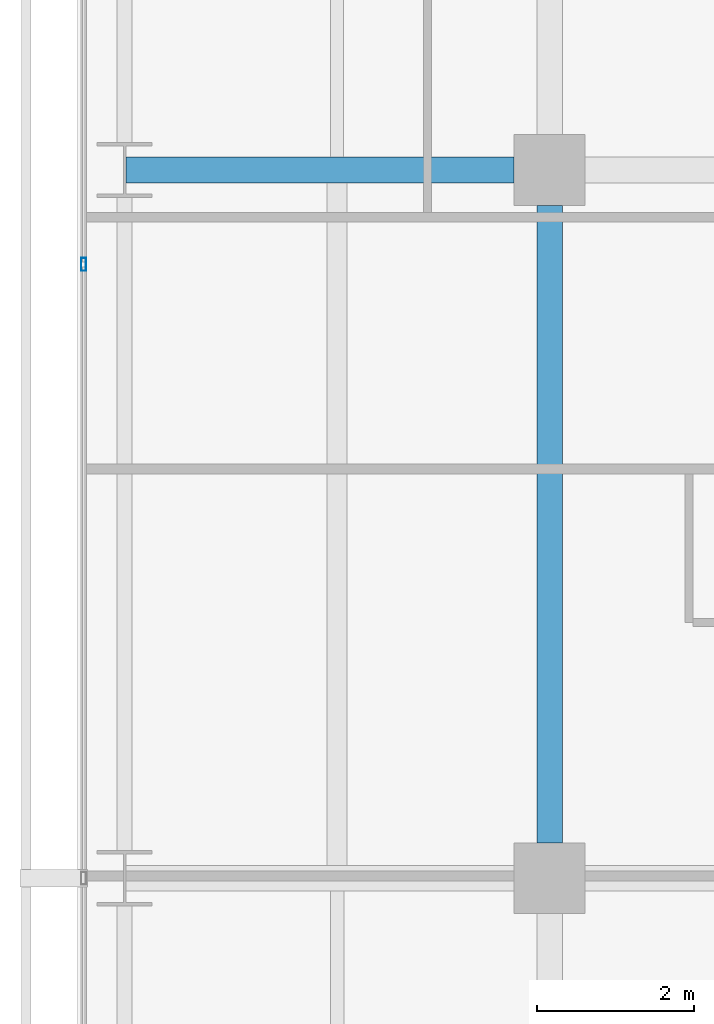
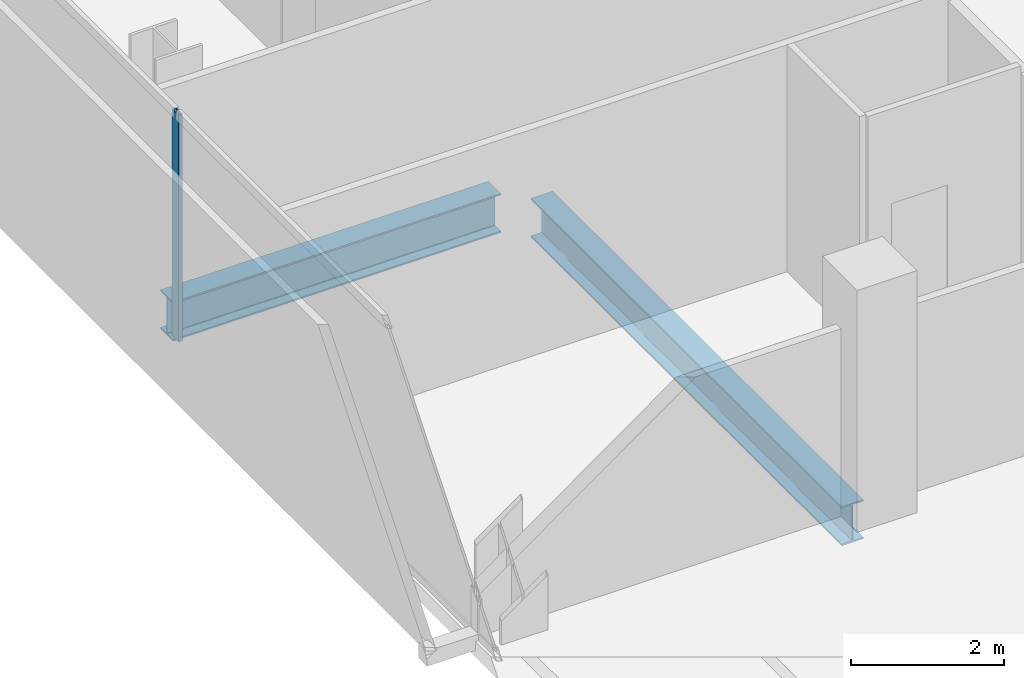
# One storey, part 21 of 39: 2 beams, 1 member, 1 element without a shape of its own.
"""IFC4 building model written with IfcOpenShell, lengths in metres."""

from ifc_helpers import new_model, si_unit, direction, frame, origin, origin_2d, place, context, subcontext, project, spatial, hollow_rectangle, i_section, extrude, material, layer, layer_set, material_profile, profile_set, type_object, element, aggregate, save


model = new_model("IFC4")

# Units and contexts
model_context = context("Model", 3, precision=1e-05, world=origin(), true_north=direction((0.0, 1.0)))
body_context = subcontext(model_context, "Body", "Model", "MODEL_VIEW")
ifc_project = project(units=[si_unit("LENGTHUNIT", "METRE"), si_unit("AREAUNIT", "SQUARE_METRE"), si_unit("VOLUMEUNIT", "CUBIC_METRE"), si_unit("PLANEANGLEUNIT", "RADIAN"), si_unit("MASSUNIT", "GRAM", prefix="KILO")], contexts=[model_context])

# Site, building, storey
site_placement = place(None, origin())
site = spatial("IfcSite", under=ifc_project, at=site_placement, CompositionType="ELEMENT")
building_placement = place(site_placement, origin())
building = spatial("IfcBuilding", under=site, at=building_placement, Name="Maruvema Waterfront Hotel and Observation Tower", CompositionType="ELEMENT")
storey_placement = place(building_placement, frame((0.0, 0.0, 46.199951171875)))
storey = spatial("IfcBuildingStorey", under=building, at=storey_placement, Name="L10", CompositionType="ELEMENT", Elevation=46.199951171875)

# Curtain wall, member
ifc_material_1 = material(Name="Anodised bronze aluminium and solar-control low-E IGU", Category="aluminium")
ifc_layer = layer(ifc_material_1, 0.159912109375, Name="Zone 1 Bronze Inner Thermal Curtain Wall System CW-02")
ifc_layer_set = layer_set([ifc_layer], Name="Anodised bronze aluminium and solar-control low-E IGU")
curtain_wall_type = type_object("IfcCurtainWallType", Name="Zone 1 Bronze Inner Thermal Curtain Wall System CW-02", PredefinedType="USERDEFINED", material=ifc_layer_set)
curtain_wall_placement = place(storey_placement, origin())
curtain_wall = element("IfcCurtainWall", 1, at=curtain_wall_placement, inside=storey, type_object=curtain_wall_type, Name="L10 Curtain Wall CW-L10-W", ObjectType="UNITISED CURTAIN WALL", PredefinedType="USERDEFINED")
ifc_material_2 = material(Name="Anodised architectural bronze aluminium", Category="aluminium")
ifc_material_profile_1 = material_profile(ifc_material_2, hollow_rectangle(XDim=0.06494140625, YDim=0.1650390625, WallThickness=0.00390625, at=origin_2d()), Name="ALU-M65x165")
ifc_profile_set_1 = profile_set([ifc_material_profile_1], Name="Anodised architectural bronze aluminium")
member_type = type_object("IfcMemberType", Name="Curtain Wall Primary Mullion ALU-M65x165", PredefinedType="MULLION", material=ifc_profile_set_1)
member_placement = place(storey_placement, frame((10.8798828125, 34.800048828125, 0.0), z_axis=(0.0, 0.0, 1.0), x_axis=(1.0, 0.0, 0.0)))
member = element("IfcMember", 2, at=member_placement, type_object=member_type, Name="CW-02 mullion 3", PredefinedType="MULLION", context=body_context, shape_type="SweptSolid", body=[
    extrude(hollow_rectangle(XDim=0.06494140625, YDim=0.1650390625, WallThickness=0.00390625, at=origin_2d()), origin(), (0.0, 0.0, 1.0), 3.610107421875),
])
aggregate(curtain_wall, [member])

# Beams
ifc_material_3 = material(Name="Steel ASTM A572 Grade 50", Category="steel")
ifc_material_profile_2 = material_profile(ifc_material_3, i_section(OverallWidth=0.326904296875, OverallDepth=0.6220703125, WebThickness=0.015380859375, FlangeThickness=0.0244140625, FilletRadius=0.01806640625, at=origin_2d()), Name="W610x195.0")
ifc_profile_set_2 = profile_set([ifc_material_profile_2], Name="Steel ASTM A572 Grade 50")
beam_type = type_object("IfcBeamType", Name="Primary Floor Girder W610x195.0", PredefinedType="BEAM", material=ifc_profile_set_2)
beam_1_placement = place(storey_placement, frame((11.4140625, 36.0, -0.551025390625), z_axis=(1.0, 0.0, 0.0), x_axis=(0.0, 1.0, 0.0)))
element("IfcBeam", 3, at=beam_1_placement, inside=storey, type_object=beam_type, Name="L10 Floor Girder EW-25", PredefinedType="BEAM", context=body_context, shape_type="SweptSolid", body=[
    extrude(i_section(OverallWidth=0.326904296875, OverallDepth=0.6220703125, WebThickness=0.015380859375, FlangeThickness=0.0244140625, FilletRadius=0.01806640625, at=origin_2d()), origin(), (0.0, 0.0, 1.0), 4.93603515625),
])
beam_2_placement = place(storey_placement, frame((16.800048828125, 27.449951171875, -0.551025390625), z_axis=(0.0, 1.0, 0.0), x_axis=(-1.0, 0.0, 0.0)))
element("IfcBeam", 4, at=beam_2_placement, inside=storey, type_object=beam_type, Name="L10 Floor Girder NS-08", PredefinedType="BEAM", context=body_context, shape_type="SweptSolid", body=[
    extrude(i_section(OverallWidth=0.326904296875, OverallDepth=0.6220703125, WebThickness=0.015380859375, FlangeThickness=0.0244140625, FilletRadius=0.01806640625, at=origin_2d()), origin(), (0.0, 0.0, 1.0), 8.10009765625),
])

save(model, "model.ifc")
